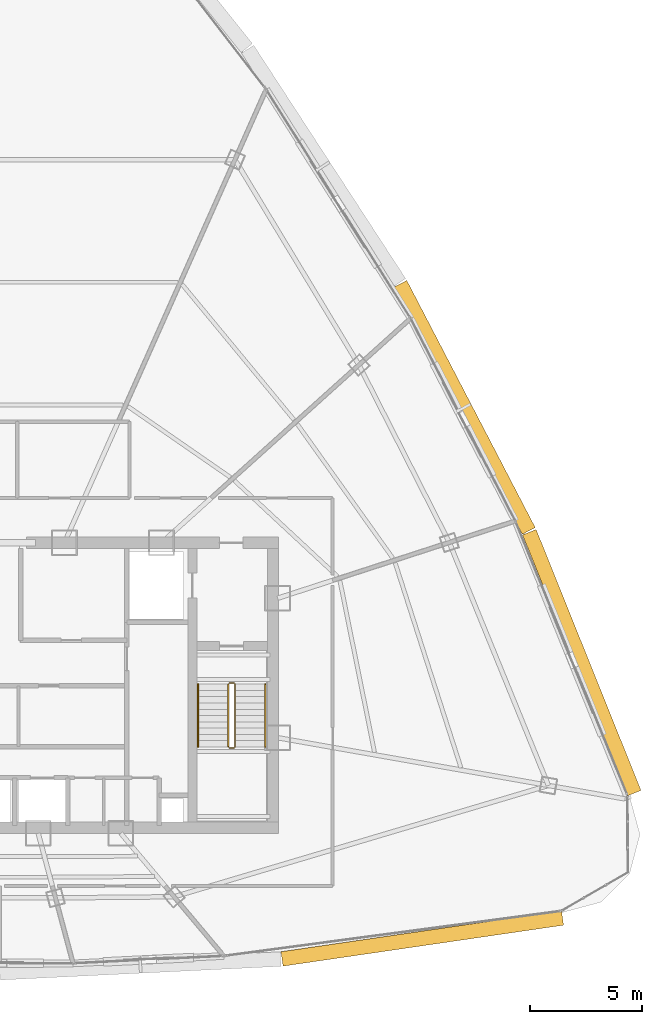
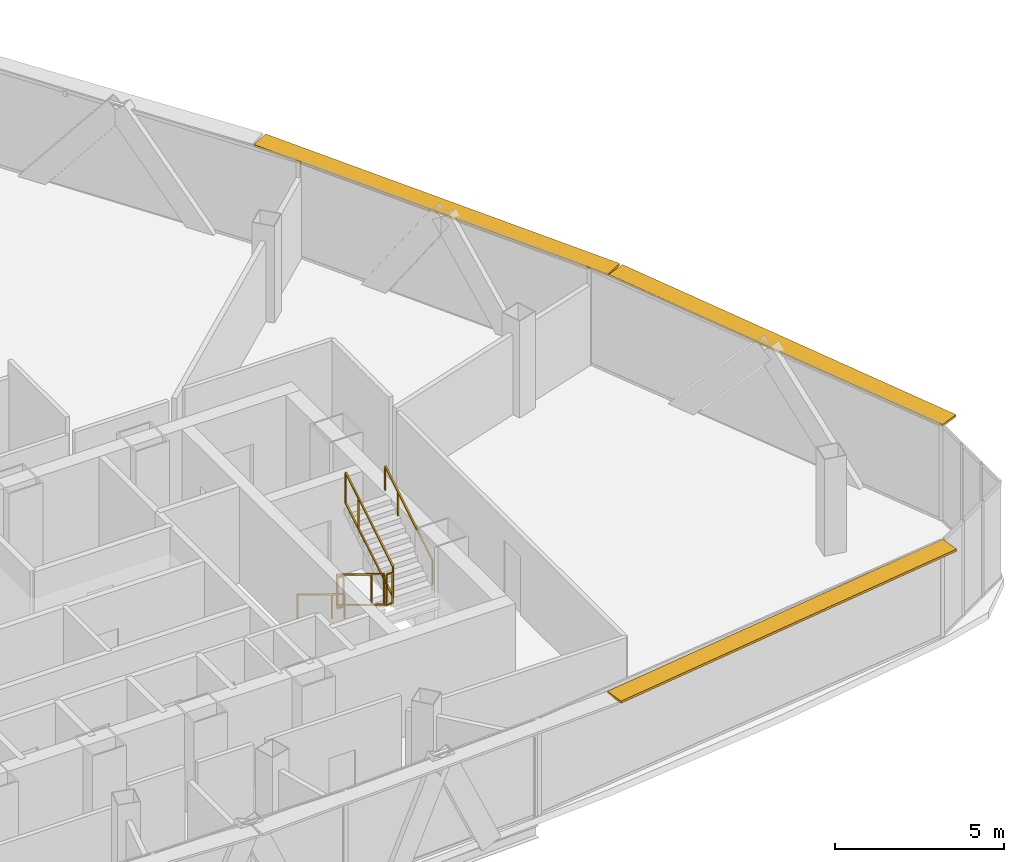
# One storey, part 25 of 26: 6 railings, 3 shading devices.
"""IFC4 building model written with IfcOpenShell, lengths in metres."""

from ifc_helpers import new_model, si_unit, direction, frame, origin, origin_2d, place, context, subcontext, project, spatial, rectangle, extrude, source, transform, mapped, material, layer, layer_set, type_object, element, save


model = new_model("IFC4")

# Units and contexts
model_context = context("Model", 3, precision=1e-05, world=origin(), true_north=direction((0.0, 1.0)))
body_context = subcontext(model_context, "Body", "Model", "MODEL_VIEW")
ifc_project = project(units=[si_unit("LENGTHUNIT", "METRE"), si_unit("AREAUNIT", "SQUARE_METRE"), si_unit("VOLUMEUNIT", "CUBIC_METRE"), si_unit("PLANEANGLEUNIT", "RADIAN"), si_unit("MASSUNIT", "GRAM", prefix="KILO"), si_unit("THERMODYNAMICTEMPERATUREUNIT", "KELVIN"), si_unit("POWERUNIT", "WATT")], contexts=[model_context])

# Site, building, storey
site_placement = place(None, origin())
site = spatial("IfcSite", under=ifc_project, at=site_placement, CompositionType="ELEMENT")
building_placement = place(site_placement, origin())
building = spatial("IfcBuilding", under=site, at=building_placement, Name="Yunzhuo Pagoda Commons", CompositionType="ELEMENT")
storey_placement = place(building_placement, frame((0.0, 0.0, 340.510009765625)))
storey = spatial("IfcBuildingStorey", under=building, at=storey_placement, Name="L85", CompositionType="ELEMENT", Elevation=340.510009765625)

# Railings
ifc_material = material(Name="Anodized aluminium 6063-T6", Category="aluminium")
railing_type_1 = type_object("IfcRailingType", Name="GR-ST2 Stair Well Guardrail 1160", PredefinedType="GUARDRAIL", material=ifc_material)
railing_1_placement = place(storey_placement, frame((58.199951171875, 33.89990234375, 0.17041015625)))
element("IfcRailing", 1, at=railing_1_placement, inside=storey, type_object=railing_type_1, Name="L85 ST2 stair guard 1", PredefinedType="GUARDRAIL", context=body_context, shape_type="SweptSolid", body=[
    extrude(rectangle(XDim=0.048095703125, YDim=0.048095703125, at=origin_2d()), frame((0.0, 0.0, 1.1259765625), z_axis=(0.0, -0.854149651119, 0.520027281489), x_axis=(1.0, 0.0, 0.0)), (0.0, 0.0, 1.0), 3.27783203125),
    extrude(rectangle(XDim=0.048095703125, YDim=0.048095703125, at=origin_2d()), frame((0.0, 0.0, 0.02392578125), z_axis=(0.0, -0.854149651119, 0.520027281489), x_axis=(1.0, 0.0, 0.0)), (0.0, 0.0, 1.0), 3.27783203125),
    extrude(rectangle(XDim=0.0419921875, YDim=0.0419921875, at=origin_2d()), origin(), (0.0, 0.0, 1.0), 1.101806640625),
    extrude(rectangle(XDim=0.0419921875, YDim=0.0419921875, at=origin_2d()), frame((0.0, -2.050048828125, 1.248046875)), (0.0, 0.0, 1.0), 1.101806640625),
    extrude(rectangle(XDim=0.0419921875, YDim=0.0419921875, at=origin_2d()), frame((0.0, -2.7998046875, 1.70458984375)), (0.0, 0.0, 1.0), 1.101806640625),
])
railing_2_placement = place(storey_placement, frame((58.25, 31.050048828125, 1.875)))
element("IfcRailing", 2, at=railing_2_placement, inside=storey, type_object=railing_type_1, Name="L85 ST2 stair guard 2", PredefinedType="GUARDRAIL", context=body_context, shape_type="SweptSolid", body=[
    extrude(rectangle(XDim=0.048095703125, YDim=0.048095703125, at=origin_2d()), frame((0.0, 0.0, 1.1259765625), z_axis=(1.0, 0.0, 0.0), x_axis=(0.0, 1.0, 0.0)), (0.0, 0.0, 1.0), 0.199951171875),
    extrude(rectangle(XDim=0.048095703125, YDim=0.048095703125, at=origin_2d()), frame((0.0, 0.0, 0.02392578125), z_axis=(1.0, 0.0, 0.0), x_axis=(0.0, 1.0, 0.0)), (0.0, 0.0, 1.0), 0.199951171875),
    extrude(rectangle(XDim=0.0419921875, YDim=0.0419921875, at=origin_2d()), origin(), (0.0, 0.0, 1.0), 1.101806640625),
    extrude(rectangle(XDim=0.0419921875, YDim=0.0419921875, at=origin_2d()), frame((0.199951171875, 0.0, 0.0)), (0.0, 0.0, 1.0), 1.101806640625),
])
railing_3_placement = place(storey_placement, frame((58.5, 31.10009765625, 2.04541015625)))
element("IfcRailing", 3, at=railing_3_placement, inside=storey, type_object=railing_type_1, Name="L85 ST2 stair guard 3", PredefinedType="GUARDRAIL", context=body_context, shape_type="SweptSolid", body=[
    extrude(rectangle(XDim=0.048095703125, YDim=0.048095703125, at=origin_2d()), frame((0.0, 0.0, 1.1259765625), z_axis=(0.0, 0.854149651119, 0.520027281489), x_axis=(-1.0, 0.0, 0.0)), (0.0, 0.0, 1.0), 3.27783203125),
    extrude(rectangle(XDim=0.048095703125, YDim=0.048095703125, at=origin_2d()), frame((0.0, 0.0, 0.02392578125), z_axis=(0.0, 0.854149651119, 0.520027281489), x_axis=(-1.0, 0.0, 0.0)), (0.0, 0.0, 1.0), 3.27783203125),
    extrude(rectangle(XDim=0.0419921875, YDim=0.0419921875, at=origin_2d()), origin(), (0.0, 0.0, 1.0), 1.101806640625),
    extrude(rectangle(XDim=0.0419921875, YDim=0.0419921875, at=origin_2d()), frame((0.0, 2.050048828125, 1.248046875)), (0.0, 0.0, 1.0), 1.101806640625),
    extrude(rectangle(XDim=0.0419921875, YDim=0.0419921875, at=origin_2d()), frame((0.0, 2.7998046875, 1.70458984375)), (0.0, 0.0, 1.0), 1.101806640625),
])
railing_4_placement = place(storey_placement, frame((58.25, 33.949951171875, 0.0)))
element("IfcRailing", 4, at=railing_4_placement, inside=storey, type_object=railing_type_1, Name="L85 ST2 stair guard 4", PredefinedType="GUARDRAIL", context=body_context, shape_type="SweptSolid", body=[
    extrude(rectangle(XDim=0.048095703125, YDim=0.048095703125, at=origin_2d()), frame((0.0, 0.0, 1.1259765625), z_axis=(1.0, 0.0, 0.0), x_axis=(0.0, 1.0, 0.0)), (0.0, 0.0, 1.0), 0.199951171875),
    extrude(rectangle(XDim=0.048095703125, YDim=0.048095703125, at=origin_2d()), frame((0.0, 0.0, 0.02392578125), z_axis=(1.0, 0.0, 0.0), x_axis=(0.0, 1.0, 0.0)), (0.0, 0.0, 1.0), 0.199951171875),
    extrude(rectangle(XDim=0.0419921875, YDim=0.0419921875, at=origin_2d()), origin(), (0.0, 0.0, 1.0), 1.101806640625),
    extrude(rectangle(XDim=0.0419921875, YDim=0.0419921875, at=origin_2d()), frame((0.199951171875, 0.0, 0.0)), (0.0, 0.0, 1.0), 1.101806640625),
])
railing_type_2 = type_object("IfcRailingType", Name="HR-ST2 Stair Handrail 900", PredefinedType="HANDRAIL", material=ifc_material)
railing_5_placement = place(storey_placement, frame((56.85009765625, 33.89990234375, 0.17041015625)))
element("IfcRailing", 5, at=railing_5_placement, inside=storey, type_object=railing_type_2, Name="L85 ST2 stair handrail 1", PredefinedType="HANDRAIL", context=body_context, shape_type="SweptSolid", body=[
    extrude(rectangle(XDim=0.048095703125, YDim=0.048095703125, at=origin_2d()), frame((0.0, 0.0, 0.8759765625), z_axis=(0.0, -0.854149651119, 0.520027281489), x_axis=(1.0, 0.0, 0.0)), (0.0, 0.0, 1.0), 3.27783203125),
    extrude(rectangle(XDim=0.0419921875, YDim=0.0419921875, at=origin_2d()), origin(), (0.0, 0.0, 1.0), 0.851806640625),
    extrude(rectangle(XDim=0.0419921875, YDim=0.0419921875, at=origin_2d()), frame((0.0, -2.050048828125, 1.248046875)), (0.0, 0.0, 1.0), 0.851806640625),
    extrude(rectangle(XDim=0.0419921875, YDim=0.0419921875, at=origin_2d()), frame((0.0, -2.7998046875, 1.70458984375)), (0.0, 0.0, 1.0), 0.851806640625),
])
railing_6_placement = place(storey_placement, frame((59.85009765625, 31.10009765625, 2.04541015625)))
element("IfcRailing", 6, at=railing_6_placement, inside=storey, type_object=railing_type_2, Name="L85 ST2 stair handrail 2", PredefinedType="HANDRAIL", context=body_context, shape_type="SweptSolid", body=[
    extrude(rectangle(XDim=0.048095703125, YDim=0.048095703125, at=origin_2d()), frame((0.0, 0.0, 0.8759765625), z_axis=(0.0, 0.854149651119, 0.520027281489), x_axis=(-1.0, 0.0, 0.0)), (0.0, 0.0, 1.0), 3.27783203125),
    extrude(rectangle(XDim=0.0419921875, YDim=0.0419921875, at=origin_2d()), origin(), (0.0, 0.0, 1.0), 0.851806640625),
    extrude(rectangle(XDim=0.0419921875, YDim=0.0419921875, at=origin_2d()), frame((0.0, 2.050048828125, 1.248046875)), (0.0, 0.0, 1.0), 0.851806640625),
    extrude(rectangle(XDim=0.0419921875, YDim=0.0419921875, at=origin_2d()), frame((0.0, 2.7998046875, 1.70458984375)), (0.0, 0.0, 1.0), 0.851806640625),
])

# Shading devices
ifc_layer = layer(ifc_material, 0.080078125)
ifc_layer_set = layer_set([ifc_layer], Name="Anodized aluminium 6063-T6")
shading_device_type = type_object("IfcShadingDeviceType", Name="SH-SUN1 Pagoda Horizontal Sunshade Eave 650", PredefinedType="USERDEFINED", material=ifc_layer_set)
shared_shape_1 = source(origin(), body_context, "Body", "SweptSolid", [
    extrude(rectangle(XDim=12.63623046875, YDim=0.64990234375, at=origin_2d()), origin(), (0.0, 0.0, 1.0), 0.080078125),
])
shading_device_1_placement = place(storey_placement, frame((66.849609375, 22.563720703125, 3.409912109375), z_axis=(0.0, 0.0, 1.0), x_axis=(0.989510666697, 0.144459823108, 0.0)))
element("IfcShadingDevice", 7, at=shading_device_1_placement, inside=storey, type_object=shading_device_type, Name="L85 horizontal pagoda sunshade eave F1.4", ObjectType="SUNSHADE", PredefinedType="USERDEFINED", context=body_context, shape_type="MappedRepresentation", body=[
    mapped(shared_shape_1, transform((0.0, 0.0, 0.0), scale=1.0)),
])
shared_shape_2 = source(origin(), body_context, "Body", "SweptSolid", [
    extrude(rectangle(XDim=12.534423828125, YDim=0.64990234375, at=origin_2d()), origin(), (0.0, 0.0, 1.0), 0.080078125),
])
shading_device_2_placement = place(storey_placement, frame((73.96044921875, 34.8583984375, 3.409912109375), z_axis=(0.0, 0.0, 1.0), x_axis=(-0.372987782576, 0.927836253899, 0.0)))
element("IfcShadingDevice", 8, at=shading_device_2_placement, inside=storey, type_object=shading_device_type, Name="L85 horizontal pagoda sunshade eave F2.1", ObjectType="SUNSHADE", PredefinedType="USERDEFINED", context=body_context, shape_type="MappedRepresentation", body=[
    mapped(shared_shape_2, transform((0.0, 0.0, 0.0), scale=1.0)),
])
shared_shape_3 = source(origin(), body_context, "Body", "SweptSolid", [
    extrude(rectangle(XDim=12.41552734375, YDim=0.64990234375, at=origin_2d()), origin(), (0.0, 0.0, 1.0), 0.080078125),
])
shading_device_3_placement = place(storey_placement, frame((68.7333984375, 46.239013671875, 3.409912109375), z_axis=(0.0, 0.0, 1.0), x_axis=(-0.461206683033, 0.88729273384, 0.0)))
element("IfcShadingDevice", 9, at=shading_device_3_placement, inside=storey, type_object=shading_device_type, Name="L85 horizontal pagoda sunshade eave F2.2", ObjectType="SUNSHADE", PredefinedType="USERDEFINED", context=body_context, shape_type="MappedRepresentation", body=[
    mapped(shared_shape_3, transform((0.0, 0.0, 0.0), scale=1.0)),
])

save(model, "model.ifc")
